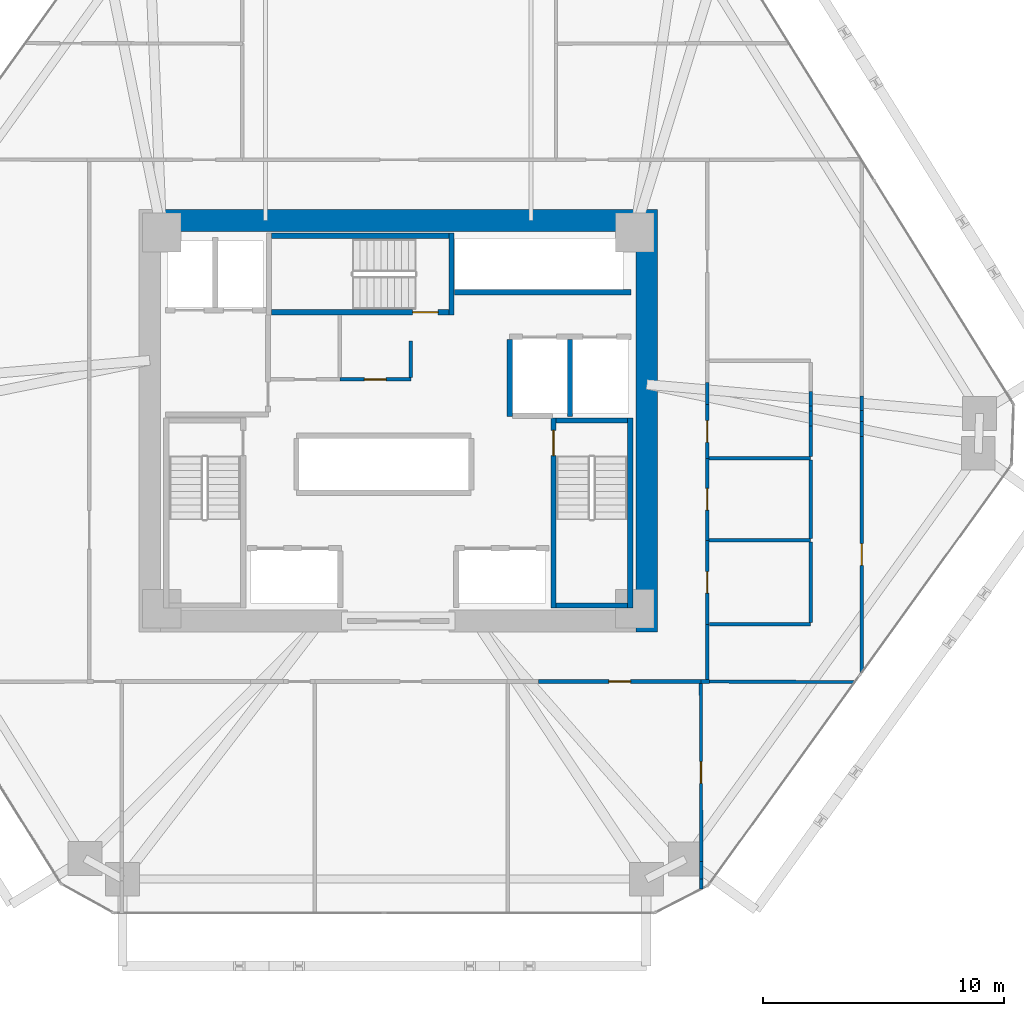
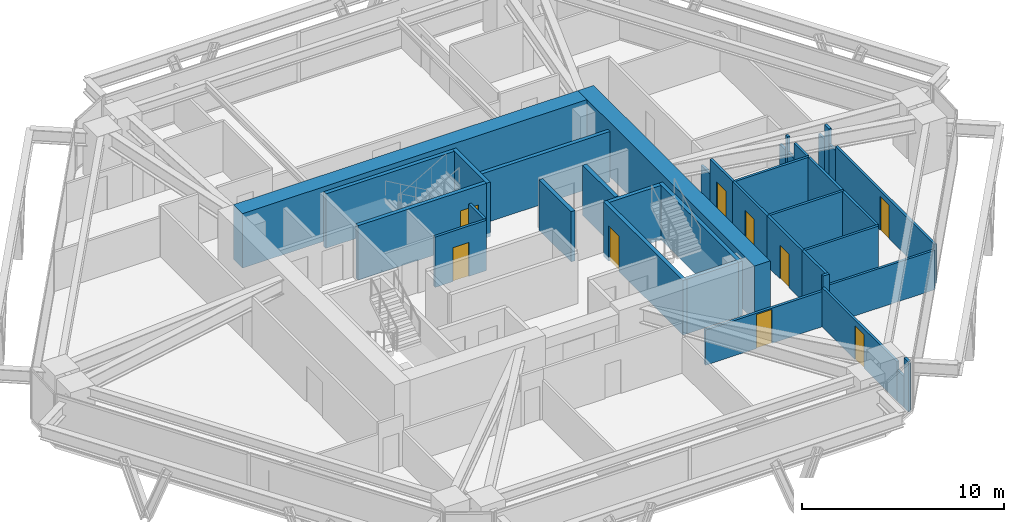
# One storey, part 12 of 15: 38 walls, 9 doors, 9 openings.
"""IFC4 building model written with IfcOpenShell, lengths in metres."""

from ifc_helpers import new_model, si_unit, direction, frame, frame_2d, origin, place, context, subcontext, project, spatial, rectangle, extrude, source, transform, mapped, material, layer, layer_set, type_object, type_shapes, element, fill, save


model = new_model("IFC4")

# Units and contexts
model_context = context("Model", 3, precision=1e-05, world=origin(), true_north=direction((0.0, 1.0)))
body_context = subcontext(model_context, "Body", "Model", "MODEL_VIEW")
ifc_project = project(units=[si_unit("LENGTHUNIT", "METRE"), si_unit("AREAUNIT", "SQUARE_METRE"), si_unit("VOLUMEUNIT", "CUBIC_METRE"), si_unit("PLANEANGLEUNIT", "RADIAN"), si_unit("MASSUNIT", "GRAM", prefix="KILO")], contexts=[model_context])

# Site, building, storey
site_placement = place(None, origin())
site = spatial("IfcSite", under=ifc_project, at=site_placement, CompositionType="ELEMENT")
building_placement = place(site_placement, origin())
building = spatial("IfcBuilding", under=site, at=building_placement, Name="Durnholm Broadcast Tower", CompositionType="ELEMENT")
storey_placement = place(building_placement, frame((0.0, 0.0, 62.10009765625)))
storey = spatial("IfcBuildingStorey", under=building, at=storey_placement, Name="L15", CompositionType="ELEMENT", Elevation=62.10009765625)

# Walls
ifc_material_1 = material(Name="Concrete C70/85", Category="concrete")
ifc_layer_1 = layer(ifc_material_1, 0.89990234375)
ifc_layer_set_1 = layer_set([ifc_layer_1], Name="Concrete C70/85")
wall_type_1 = type_object("IfcWallType", Name="WALL-CW-900", PredefinedType="SHEAR", material=ifc_layer_set_1)
wall_1_placement = place(storey_placement, frame((10.300048828125, -8.75, 0.0), z_axis=(0.0, 0.0, 1.0), x_axis=(0.0, 1.0, 0.0)))
element("IfcWall", 1, at=wall_1_placement, inside=storey, type_object=wall_type_1, Name="L15 central core shear wall CW-EAST", PredefinedType="SHEAR", context=body_context, shape_type="SweptSolid", body=[
    extrude(rectangle(XDim=17.5, YDim=0.89990234375, at=frame_2d((8.75, 0.0))), origin(), (0.0, 0.0, 1.0), 3.2998046875),
])
wall_2_placement = place(storey_placement, frame((-9.85009765625, 8.300048828125, 0.0), z_axis=(0.0, 0.0, 1.0), x_axis=(1.0, 0.0, 0.0)))
element("IfcWall", 2, at=wall_2_placement, inside=storey, type_object=wall_type_1, Name="L15 central core shear wall CW-N", PredefinedType="SHEAR", context=body_context, shape_type="SweptSolid", body=[
    extrude(rectangle(XDim=19.7001953125, YDim=0.89990234375, at=frame_2d((9.85009765625, 0.0))), origin(), (0.0, 0.0, 1.0), 3.2998046875),
])

# Wall, opening, door
ifc_material_2 = material(Name="Gypsum Metal Stud Partition", Category="concrete")
ifc_layer_2 = layer(ifc_material_2, 0.135009765625)
ifc_layer_set_2 = layer_set([ifc_layer_2], Name="Gypsum Metal Stud Partition")
wall_type_2 = type_object("IfcWallType", Name="WALL-PART-135", PredefinedType="PARTITIONING", material=ifc_layer_set_2)
wall_3_placement = place(storey_placement, frame((12.540283203125, -10.888916015625, 0.0), z_axis=(0.0, 0.0, 1.0), x_axis=(0.002115348101, -0.999997762649, 0.0)))
wall_3 = element("IfcWall", 3, at=wall_3_placement, inside=storey, type_object=wall_type_2, Name="L15 room dividing partition 14.15", PredefinedType="PARTITIONING", context=body_context, shape_type="SweptSolid", body=[
    extrude(rectangle(XDim=7.386474609375, YDim=0.135009765625, at=frame_2d((3.693359375, 0.0))), origin(), (0.0, 0.0, 1.0), 2.3798828125),
])
opening_1_placement = place(wall_3_placement, frame((3.2431640625, 0.0, 0.0)))
opening_1 = element("IfcOpeningElement", 4, at=opening_1_placement, cuts=wall_3, Name="Opening DW-90L", PredefinedType="OPENING", context=body_context, shape_type="SweptSolid", body=[
    extrude(rectangle(XDim=0.89990234375, YDim=2.050048828125, at=frame_2d((0.449951171875, 1.02490234375))), frame((0.0, 0.07763671875, 0.0), z_axis=(0.0, -1.0, 0.0), x_axis=(1.0, 0.0, 0.0)), (0.0, 0.0, 1.0), 0.155029296875),
])
ifc_material_3 = material(Name="Laminate Restroom Door", Category="steel")
ifc_layer_3 = layer(ifc_material_3, 0.050048828125)
ifc_layer_set_3 = layer_set([ifc_layer_3], Name="Laminate Restroom Door")
door_type_1 = type_object("IfcDoorType", Name="DOOR-WC-900L", OperationType="NOTDEFINED", PredefinedType="DOOR", material=ifc_layer_set_3)
shared_shape_1 = source(origin(), body_context, "Body", "SweptSolid", [
    extrude(rectangle(XDim=0.89990234375, YDim=2.050048828125, at=frame_2d((0.449951171875, 1.02490234375))), frame((0.0, 0.02490234375, 0.0), z_axis=(0.0, -1.0, 0.0), x_axis=(1.0, 0.0, 0.0)), (0.0, 0.0, 1.0), 0.050048828125),
])
type_shapes(door_type_1, [shared_shape_1])
door_1_placement = place(opening_1_placement, origin())
door_1 = element("IfcDoor", 5, at=door_1_placement, inside=storey, type_object=door_type_1, Name="L15 Investigative Meeting Room connecting door", OperationType="SINGLE_SWING_LEFT", OverallHeight=2.050048828125, OverallWidth=0.89990234375, PredefinedType="DOOR", context=body_context, shape_type="MappedRepresentation", body=[
    mapped(shared_shape_1, transform((0.0, 0.0, 0.0), x_axis=(1.0, 0.0, 0.0), y_axis=(0.0, 1.0, 0.0), z_axis=(0.0, 0.0, 1.0), scale=1.0)),
])
fill(opening_1, door_1)

# Walls
wall_4_placement = place(storey_placement, frame((12.557373046875, -18.99755859375, 0.0), z_axis=(0.0, 0.0, 1.0), x_axis=(0.001783588126, -0.999998409405, 0.0)))
element("IfcWall", 6, at=wall_4_placement, inside=storey, type_object=wall_type_2, Name="L15 room dividing partition 14.15", PredefinedType="PARTITIONING", context=body_context, shape_type="SweptSolid", body=[
    extrude(rectangle(XDim=0.41064453125, YDim=0.135009765625, at=frame_2d((0.205322265625, 0.0))), origin(), (0.0, 0.0, 1.0), 3.044921875),
])
wall_5_placement = place(storey_placement, frame((12.555908203125, -18.275390625, 0.0), z_axis=(0.0, 0.0, 1.0), x_axis=(0.002028393393, -0.999997942808, 0.0)))
element("IfcWall", 7, at=wall_5_placement, inside=storey, type_object=wall_type_2, Name="L15 room dividing partition 14.15", PredefinedType="PARTITIONING", context=body_context, shape_type="SweptSolid", body=[
    extrude(rectangle(XDim=0.72216796875, YDim=0.135009765625, at=frame_2d((0.361083984375, 0.0))), origin(), (0.0, 0.0, 1.0), 1.877197265625),
])
wall_6_placement = place(storey_placement, frame((12.889892578125, -10.810302734375, 0.0), z_axis=(0.0, 0.0, 1.0), x_axis=(0.999992607823, -0.003845035728, 0.0)))
element("IfcWall", 8, at=wall_6_placement, inside=storey, type_object=wall_type_2, Name="L15 room dividing partition 15.17", PredefinedType="PARTITIONING", context=body_context, shape_type="SweptSolid", body=[
    extrude(rectangle(XDim=6.031982421875, YDim=0.135009765625, at=frame_2d((3.01611328125, 0.0))), origin(), (0.0, 0.0, 1.0), 2.3798828125),
])
wall_7_placement = place(storey_placement, frame((19.210205078125, 0.42138671875, 0.0), z_axis=(0.0, 0.0, 1.0), x_axis=(0.0, -1.0, 0.0)))
element("IfcWall", 9, at=wall_7_placement, inside=storey, type_object=wall_type_2, Name="L15 room dividing partition 17.18", PredefinedType="PARTITIONING", context=body_context, shape_type="SweptSolid", body=[
    extrude(rectangle(XDim=0.460205078125, YDim=0.135009765625, at=frame_2d((0.22998046875, 0.0))), origin(), (0.0, 0.0, 1.0), 3.044921875),
])

# Wall, opening, door
wall_8_placement = place(storey_placement, frame((19.210205078125, -0.655517578125, 0.0), z_axis=(0.0, 0.0, 1.0), x_axis=(-7.4898886e-05, -0.999999997195, 0.0)))
wall_8 = element("IfcWall", 10, at=wall_8_placement, inside=storey, type_object=wall_type_2, Name="L15 room dividing partition 17.18", PredefinedType="PARTITIONING", context=body_context, shape_type="SweptSolid", body=[
    extrude(rectangle(XDim=9.77880859375, YDim=0.135009765625, at=frame_2d((4.889404296875, 0.0))), origin(), (0.0, 0.0, 1.0), 2.3798828125),
])
opening_2_placement = place(wall_8_placement, frame((4.439453125, 0.0, 0.0)))
opening_2 = element("IfcOpeningElement", 11, at=opening_2_placement, cuts=wall_8, Name="Opening DW-90L", PredefinedType="OPENING", context=body_context, shape_type="SweptSolid", body=[
    extrude(rectangle(XDim=0.89990234375, YDim=2.050048828125, at=frame_2d((0.449951171875, 1.02490234375))), frame((0.0, 0.07763671875, 0.0), z_axis=(0.0, -1.0, 0.0), x_axis=(1.0, 0.0, 0.0)), (0.0, 0.0, 1.0), 0.155029296875),
])
door_2_placement = place(opening_2_placement, origin())
door_2 = element("IfcDoor", 12, at=door_2_placement, inside=storey, type_object=door_type_1, Name="L15 Broadcast Kitchen connecting door", OperationType="SINGLE_SWING_LEFT", OverallHeight=2.050048828125, OverallWidth=0.89990234375, PredefinedType="DOOR", context=body_context, shape_type="MappedRepresentation", body=[
    mapped(shared_shape_1, transform((0.0, 0.0, 0.0), x_axis=(1.0, 0.0, 0.0), y_axis=(0.0, 1.0, 0.0), z_axis=(0.0, 0.0, 1.0), scale=1.0)),
])
fill(opening_2, door_2)

# Walls
wall_9_placement = place(storey_placement, frame((19.210205078125, 1.027587890625, 0.0), z_axis=(0.0, 0.0, 1.0), x_axis=(0.0, -1.0, 0.0)))
element("IfcWall", 13, at=wall_9_placement, inside=storey, type_object=wall_type_2, Name="L15 room dividing partition 17.18", PredefinedType="PARTITIONING", context=body_context, shape_type="SweptSolid", body=[
    extrude(rectangle(XDim=0.606201171875, YDim=0.135009765625, at=frame_2d((0.30322265625, 0.0))), origin(), (0.0, 0.0, 1.0), 2.130126953125),
])
wall_10_placement = place(storey_placement, frame((19.210205078125, -0.038818359375, 0.0), z_axis=(0.0, 0.0, 1.0), x_axis=(0.0, -1.0, 0.0)))
element("IfcWall", 14, at=wall_10_placement, inside=storey, type_object=wall_type_2, Name="L15 room dividing partition 17.18", PredefinedType="PARTITIONING", context=body_context, shape_type="SweptSolid", body=[
    extrude(rectangle(XDim=0.61669921875, YDim=0.135009765625, at=frame_2d((0.308349609375, 0.0))), origin(), (0.0, 0.0, 1.0), 2.130126953125),
])

# Wall, opening, door
ifc_material_4 = material(Name="Acoustic Gypsum Stud Partition", Category="concrete")
ifc_layer_4 = layer(ifc_material_4, 0.14990234375)
ifc_layer_set_4 = layer_set([ifc_layer_4], Name="Acoustic Gypsum Stud Partition")
wall_type_3 = type_object("IfcWallType", Name="WALL-PART-150", PredefinedType="PARTITIONING", material=ifc_layer_set_4)
wall_11_placement = place(storey_placement, frame((0.52001953125, 1.7099609375, 0.0), z_axis=(0.0, 0.0, 1.0), x_axis=(-1.0, 0.0, 0.0)))
wall_11 = element("IfcWall", 15, at=wall_11_placement, inside=storey, type_object=wall_type_3, Name="L15 Core Mail and Supply Room corridor partition", PredefinedType="PARTITIONING", context=body_context, shape_type="SweptSolid", body=[
    extrude(rectangle(XDim=2.93994140625, YDim=0.14990234375, at=frame_2d((1.469970703125, 0.0))), origin(), (0.0, 0.0, 1.0), 3.044921875),
])
opening_3_placement = place(wall_11_placement, frame((1.02001953125, 0.0, 0.0)))
opening_3 = element("IfcOpeningElement", 16, at=opening_3_placement, cuts=wall_11, Name="Opening DC-60L", PredefinedType="OPENING", context=body_context, shape_type="SweptSolid", body=[
    extrude(rectangle(XDim=0.89990234375, YDim=2.050048828125, at=frame_2d((0.449951171875, 1.02490234375))), frame((0.0, 0.0849609375, 0.0), z_axis=(0.0, -1.0, 0.0), x_axis=(1.0, 0.0, 0.0)), (0.0, 0.0, 1.0), 0.169921875),
])
ifc_material_5 = material(Name="Fire-Rated Core Service Door", Category="steel")
ifc_layer_5 = layer(ifc_material_5, 0.050048828125)
ifc_layer_set_5 = layer_set([ifc_layer_5], Name="Fire-Rated Core Service Door")
door_type_2 = type_object("IfcDoorType", Name="DOOR-CORE-FD60-L", OperationType="NOTDEFINED", PredefinedType="DOOR", material=ifc_layer_set_5)
shared_shape_2 = source(origin(), body_context, "Body", "SweptSolid", [
    extrude(rectangle(XDim=0.89990234375, YDim=2.050048828125, at=frame_2d((0.449951171875, 1.02490234375))), frame((0.0, 0.02490234375, 0.0), z_axis=(0.0, -1.0, 0.0), x_axis=(1.0, 0.0, 0.0)), (0.0, 0.0, 1.0), 0.050048828125),
])
type_shapes(door_type_2, [shared_shape_2])
door_3_placement = place(opening_3_placement, origin())
door_3 = element("IfcDoor", 17, at=door_3_placement, inside=storey, type_object=door_type_2, Name="L15 Core Mail and Supply Room entrance door", OperationType="SINGLE_SWING_LEFT", OverallHeight=2.050048828125, OverallWidth=0.89990234375, PredefinedType="DOOR", context=body_context, shape_type="MappedRepresentation", body=[
    mapped(shared_shape_2, transform((0.0, 0.0, 0.0), x_axis=(1.0, 0.0, 0.0), y_axis=(0.0, 1.0, 0.0), z_axis=(0.0, 0.0, 1.0), scale=1.0)),
])
fill(opening_3, door_3)

# Wall
wall_12_placement = place(storey_placement, frame((0.52001953125, 3.300048828125, 0.0), z_axis=(0.0, 0.0, 1.0), x_axis=(0.0, -1.0, 0.0)))
element("IfcWall", 18, at=wall_12_placement, inside=storey, type_object=wall_type_3, Name="L15 Core Mail and Supply Room corridor partition", PredefinedType="PARTITIONING", context=body_context, shape_type="SweptSolid", body=[
    extrude(rectangle(XDim=1.510986328125, YDim=0.14990234375, at=frame_2d((0.75537109375, 0.0))), origin(), (0.0, 0.0, 1.0), 3.044921875),
])

# Wall, opening, door
wall_13_placement = place(storey_placement, frame((5.8173828125, -10.81005859375, 0.0), z_axis=(0.0, 0.0, 1.0), x_axis=(1.0, 0.0, 0.0)))
wall_13 = element("IfcWall", 19, at=wall_13_placement, inside=storey, type_object=wall_type_3, Name="L15 Open Plan Broadcast Workspace 4 corridor partition", PredefinedType="PARTITIONING", context=body_context, shape_type="SweptSolid", body=[
    extrude(rectangle(XDim=6.72265625, YDim=0.14990234375, at=frame_2d((3.361328125, 0.0))), origin(), (0.0, 0.0, 1.0), 2.130126953125),
])
opening_4_placement = place(wall_13_placement, frame((2.911376953125, 0.0, 0.0)))
opening_4 = element("IfcOpeningElement", 20, at=opening_4_placement, cuts=wall_13, Name="Opening DW-90L", PredefinedType="OPENING", context=body_context, shape_type="SweptSolid", body=[
    extrude(rectangle(XDim=0.89990234375, YDim=2.050048828125, at=frame_2d((0.449951171875, 1.02490234375))), frame((0.0, 0.0849609375, 0.0), z_axis=(0.0, -1.0, 0.0), x_axis=(1.0, 0.0, 0.0)), (0.0, 0.0, 1.0), 0.169921875),
])
door_4_placement = place(opening_4_placement, origin())
door_4 = element("IfcDoor", 21, at=door_4_placement, inside=storey, type_object=door_type_1, Name="L15 Open Plan Broadcast Workspace 4 entrance door", OperationType="SINGLE_SWING_LEFT", OverallHeight=2.050048828125, OverallWidth=0.89990234375, PredefinedType="DOOR", context=body_context, shape_type="MappedRepresentation", body=[
    mapped(shared_shape_1, transform((0.0, 0.0, 0.0), x_axis=(1.0, 0.0, 0.0), y_axis=(0.0, 1.0, 0.0), z_axis=(0.0, 0.0, 1.0), scale=1.0)),
])
fill(opening_4, door_4)

# Walls
wall_14_placement = place(storey_placement, frame((12.5400390625, -10.81005859375, 0.0), z_axis=(0.0, 0.0, 1.0), x_axis=(1.0, 0.0, 0.0)))
element("IfcWall", 22, at=wall_14_placement, inside=storey, type_object=wall_type_3, Name="L15 Investigative Meeting Room corridor partition", PredefinedType="PARTITIONING", context=body_context, shape_type="SweptSolid", body=[
    extrude(rectangle(XDim=0.349853515625, YDim=0.14990234375, at=frame_2d((0.1748046875, 0.0))), origin(), (0.0, 0.0, 1.0), 3.044921875),
])
wall_15_placement = place(storey_placement, frame((12.81005859375, -10.73095703125, 0.0), z_axis=(0.0, 0.0, 1.0), x_axis=(0.0, 1.0, 0.0)))
element("IfcWall", 23, at=wall_15_placement, inside=storey, type_object=wall_type_3, Name="L15 Sound Review Lounge corridor partition", PredefinedType="PARTITIONING", context=body_context, shape_type="SweptSolid", body=[
    extrude(rectangle(XDim=2.291015625, YDim=0.14990234375, at=frame_2d((1.1455078125, 0.0))), origin(), (0.0, 0.0, 1.0), 3.044921875),
])
ifc_material_6 = material(Name="Concrete Blockwork C30/37", Category="masonry")
ifc_layer_6 = layer(ifc_material_6, 0.219970703125)
ifc_layer_set_6 = layer_set([ifc_layer_6], Name="Concrete Blockwork C30/37")
wall_type_4 = type_object("IfcWallType", Name="WALL-SHAFT-220", PredefinedType="SOLIDWALL", material=ifc_layer_set_6)
for number, where, z_axis, x_axis, name in (
    (24, (4.6201171875, 0.179931640625, 0.0), (0.0, 0.0, 1.0), (0.0, 1.0, 0.0), "L15 freight service lift SVL-2 west wall"),
    (25, (7.1201171875, 0.179931640625, 0.0), (0.0, 0.0, 1.0), (0.0, 1.0, 0.0), "L15 freight service lifts divider wall"),
):
    element("IfcWall", number, at=place(storey_placement, frame(where, z_axis=z_axis, x_axis=x_axis)), inside=storey, type_object=wall_type_4, Name=name, PredefinedType="SOLIDWALL", context=body_context, shape_type="SweptSolid", body=[
        extrude(rectangle(XDim=3.18603515625, YDim=0.219970703125, at=frame_2d((1.593017578125, 0.0))), origin(), (0.0, 0.0, 1.0), 3.044921875),
    ])
wall_16_placement = place(storey_placement, frame((2.324951171875, 5.320068359375, 0.0), z_axis=(0.0, 0.0, 1.0), x_axis=(1.0, 0.0, 0.0)))
element("IfcWall", 26, at=wall_16_placement, inside=storey, type_object=wall_type_4, Name="L15 high-rise bank P3 south front wall", PredefinedType="SOLIDWALL", context=body_context, shape_type="SweptSolid", body=[
    extrude(rectangle(XDim=7.324951171875, YDim=0.219970703125, at=frame_2d((3.66259765625, 0.0))), origin(), (0.0, 0.0, 1.0), 3.044921875),
])
ifc_material_7 = material(Name="Concrete C50/60", Category="concrete")
ifc_layer_7 = layer(ifc_material_7, 0.219970703125)
ifc_layer_set_7 = layer_set([ifc_layer_7], Name="Concrete C50/60")
wall_type_5 = type_object("IfcWallType", Name="WALL-SW-220", PredefinedType="SHEAR", material=ifc_layer_set_7)
wall_17_placement = place(storey_placement, frame((9.610107421875, -7.77001953125, -0.239990234375), z_axis=(0.0, 0.0, 1.0), x_axis=(0.0, 1.0, 0.0)))
element("IfcWall", 27, at=wall_17_placement, inside=storey, type_object=wall_type_5, Name="L15 stair ST-2 structural shaft wall E", PredefinedType="SHEAR", context=body_context, shape_type="SweptSolid", body=[
    extrude(rectangle(XDim=7.89013671875, YDim=0.219970703125, at=frame_2d((3.945068359375, 0.0))), origin(), (0.0, 0.0, 1.0), 3.2998046875),
])

# Wall, opening, door
wall_18_placement = place(storey_placement, frame((6.429931640625, 0.1201171875, -0.239990234375), z_axis=(0.0, 0.0, 1.0), x_axis=(0.0, -1.0, 0.0)))
wall_18 = element("IfcWall", 28, at=wall_18_placement, inside=storey, type_object=wall_type_5, Name="L15 stair ST-2 structural shaft wall W", PredefinedType="SHEAR", context=body_context, shape_type="SweptSolid", body=[
    extrude(rectangle(XDim=7.89013671875, YDim=0.219970703125, at=frame_2d((3.945068359375, 0.0))), origin(), (0.0, 0.0, 1.0), 3.2998046875),
])
opening_5_placement = place(wall_18_placement, frame((0.52001953125, 0.0, 0.0)))
opening_5 = element("IfcOpeningElement", 29, at=opening_5_placement, cuts=wall_18, Name="Opening DS-90R", PredefinedType="OPENING", context=body_context, shape_type="SweptSolid", body=[
    extrude(rectangle(XDim=1.050048828125, YDim=2.14990234375, at=frame_2d((0.52490234375, 1.074951171875))), frame((0.0, 0.1201171875, 0.0), z_axis=(0.0, -1.0, 0.0), x_axis=(1.0, 0.0, 0.0)), (0.0, 0.0, 1.0), 0.239990234375),
])
ifc_material_8 = material(Name="Fire-Rated Steel Door", Category="steel")
ifc_layer_8 = layer(ifc_material_8, 0.050048828125)
ifc_layer_set_8 = layer_set([ifc_layer_8], Name="Fire-Rated Steel Door")
door_type_3 = type_object("IfcDoorType", Name="DOOR-ST-FD90-R", OperationType="NOTDEFINED", PredefinedType="DOOR", material=ifc_layer_set_8)
shared_shape_3 = source(origin(), body_context, "Body", "SweptSolid", [
    extrude(rectangle(XDim=1.050048828125, YDim=2.14990234375, at=frame_2d((0.52490234375, 1.074951171875))), frame((0.0, 0.02490234375, 0.0), z_axis=(0.0, -1.0, 0.0), x_axis=(1.0, 0.0, 0.0)), (0.0, 0.0, 1.0), 0.050048828125),
])
type_shapes(door_type_3, [shared_shape_3])
door_5_placement = place(opening_5_placement, origin())
door_5 = element("IfcDoor", 30, at=door_5_placement, inside=storey, type_object=door_type_3, Name="L15 exit stair ST-2 fire door", OperationType="SINGLE_SWING_RIGHT", OverallHeight=2.14990234375, OverallWidth=1.050048828125, PredefinedType="DOOR", context=body_context, shape_type="MappedRepresentation", body=[
    mapped(shared_shape_3, transform((0.0, 0.0, 0.0), x_axis=(1.0, 0.0, 0.0), y_axis=(0.0, 1.0, 0.0), z_axis=(0.0, 0.0, 1.0), scale=1.0)),
])
fill(opening_5, door_5)

# Walls
for number, where, z_axis, x_axis, name in (
    (31, (6.5400390625, -7.659912109375, -0.239990234375), (0.0, 0.0, 1.0), (1.0, 0.0, 0.0), "L15 stair ST-2 structural shaft wall S"),
    (32, (9.5, 0.010009765625, -0.239990234375), (0.0, 0.0, 1.0), (-1.0, 0.0, 0.0), "L15 stair ST-2 structural shaft wall N"),
):
    element("IfcWall", number, at=place(storey_placement, frame(where, z_axis=z_axis, x_axis=x_axis)), inside=storey, type_object=wall_type_5, Name=name, PredefinedType="SHEAR", context=body_context, shape_type="SweptSolid", body=[
        extrude(rectangle(XDim=2.9599609375, YDim=0.219970703125, at=frame_2d((1.47998046875, 0.0))), origin(), (0.0, 0.0, 1.0), 3.2998046875),
    ])
wall_19_placement = place(storey_placement, frame((2.2099609375, 4.3798828125, -0.239990234375), z_axis=(0.0, 0.0, 1.0), x_axis=(0.0, 1.0, 0.0)))
element("IfcWall", 33, at=wall_19_placement, inside=storey, type_object=wall_type_5, Name="L15 stair ST-3 structural shaft wall E", PredefinedType="SHEAR", context=body_context, shape_type="SweptSolid", body=[
    extrude(rectangle(XDim=3.400146484375, YDim=0.219970703125, at=frame_2d((1.7001953125, 0.0))), origin(), (0.0, 0.0, 1.0), 3.2998046875),
])

# Wall, opening, door
wall_20_placement = place(storey_placement, frame((-5.25, 4.489990234375, -0.239990234375), z_axis=(0.0, 0.0, 1.0), x_axis=(1.0, 0.0, 0.0)))
wall_20 = element("IfcWall", 34, at=wall_20_placement, inside=storey, type_object=wall_type_5, Name="L15 stair ST-3 structural shaft wall S", PredefinedType="SHEAR", context=body_context, shape_type="SweptSolid", body=[
    extrude(rectangle(XDim=7.35009765625, YDim=0.219970703125, at=frame_2d((3.675048828125, 0.0))), origin(), (0.0, 0.0, 1.0), 3.2998046875),
])
opening_6_placement = place(wall_20_placement, frame((5.85009765625, 0.0, 0.0)))
opening_6 = element("IfcOpeningElement", 35, at=opening_6_placement, cuts=wall_20, Name="Opening DS-90L", PredefinedType="OPENING", context=body_context, shape_type="SweptSolid", body=[
    extrude(rectangle(XDim=1.050048828125, YDim=2.14990234375, at=frame_2d((0.52490234375, 1.074951171875))), frame((0.0, 0.1201171875, 0.0), z_axis=(0.0, -1.0, 0.0), x_axis=(1.0, 0.0, 0.0)), (0.0, 0.0, 1.0), 0.239990234375),
])
ifc_layer_9 = layer(ifc_material_8, 0.050048828125)
ifc_layer_set_9 = layer_set([ifc_layer_9], Name="Fire-Rated Steel Door")
door_type_4 = type_object("IfcDoorType", Name="DOOR-ST-FD90-L", OperationType="NOTDEFINED", PredefinedType="DOOR", material=ifc_layer_set_9)
shared_shape_4 = source(origin(), body_context, "Body", "SweptSolid", [
    extrude(rectangle(XDim=1.050048828125, YDim=2.14990234375, at=frame_2d((0.52490234375, 1.074951171875))), frame((0.0, 0.02490234375, 0.0), z_axis=(0.0, -1.0, 0.0), x_axis=(1.0, 0.0, 0.0)), (0.0, 0.0, 1.0), 0.050048828125),
])
type_shapes(door_type_4, [shared_shape_4])
door_6_placement = place(opening_6_placement, origin())
door_6 = element("IfcDoor", 36, at=door_6_placement, inside=storey, type_object=door_type_4, Name="L15 exit stair ST-3 fire door", OperationType="SINGLE_SWING_LEFT", OverallHeight=2.14990234375, OverallWidth=1.050048828125, PredefinedType="DOOR", context=body_context, shape_type="MappedRepresentation", body=[
    mapped(shared_shape_4, transform((0.0, 0.0, 0.0), x_axis=(1.0, 0.0, 0.0), y_axis=(0.0, 1.0, 0.0), z_axis=(0.0, 0.0, 1.0), scale=1.0)),
])
fill(opening_6, door_6)

# Wall
wall_21_placement = place(storey_placement, frame((2.10009765625, 7.669921875, -0.239990234375), z_axis=(0.0, 0.0, 1.0), x_axis=(-1.0, 0.0, 0.0)))
element("IfcWall", 37, at=wall_21_placement, inside=storey, type_object=wall_type_5, Name="L15 stair ST-3 structural shaft wall N", PredefinedType="SHEAR", context=body_context, shape_type="SweptSolid", body=[
    extrude(rectangle(XDim=7.35009765625, YDim=0.219970703125, at=frame_2d((3.675048828125, 0.0))), origin(), (0.0, 0.0, 1.0), 3.2998046875),
])

# Wall, opening, door
ifc_material_9 = material(Name="Moisture-Resistant Tile Partition", Category="concrete")
ifc_layer_10 = layer(ifc_material_9, 0.139892578125)
ifc_layer_set_10 = layer_set([ifc_layer_10], Name="Moisture-Resistant Tile Partition")
wall_type_6 = type_object("IfcWallType", Name="WALL-WC-140", PredefinedType="PARTITIONING", material=ifc_layer_set_10)
wall_22_placement = place(storey_placement, frame((12.81005859375, -8.43994140625, 0.0), z_axis=(0.0, 0.0, 1.0), x_axis=(0.0, 1.0, 0.0)))
wall_22 = element("IfcWall", 38, at=wall_22_placement, inside=storey, type_object=wall_type_6, Name="L15 Men's Restroom corridor partition", PredefinedType="PARTITIONING", context=body_context, shape_type="SweptSolid", body=[
    extrude(rectangle(XDim=3.47998046875, YDim=0.139892578125, at=frame_2d((1.739990234375, 0.0))), origin(), (0.0, 0.0, 1.0), 3.044921875),
])
opening_7_placement = place(wall_22_placement, frame((1.2900390625, 0.0, 0.0)))
opening_7 = element("IfcOpeningElement", 39, at=opening_7_placement, cuts=wall_22, Name="Opening DW-90R", PredefinedType="OPENING", context=body_context, shape_type="SweptSolid", body=[
    extrude(rectangle(XDim=0.89990234375, YDim=2.050048828125, at=frame_2d((0.449951171875, 1.02490234375))), frame((0.0, 0.080078125, 0.0), z_axis=(0.0, -1.0, 0.0), x_axis=(1.0, 0.0, 0.0)), (0.0, 0.0, 1.0), 0.159912109375),
])
ifc_layer_11 = layer(ifc_material_3, 0.050048828125)
ifc_layer_set_11 = layer_set([ifc_layer_11], Name="Laminate Restroom Door")
door_type_5 = type_object("IfcDoorType", Name="DOOR-WC-900R", OperationType="NOTDEFINED", PredefinedType="DOOR", material=ifc_layer_set_11)
shared_shape_5 = source(origin(), body_context, "Body", "SweptSolid", [
    extrude(rectangle(XDim=0.89990234375, YDim=2.050048828125, at=frame_2d((0.449951171875, 1.02490234375))), frame((0.0, 0.02490234375, 0.0), z_axis=(0.0, -1.0, 0.0), x_axis=(1.0, 0.0, 0.0)), (0.0, 0.0, 1.0), 0.050048828125),
])
type_shapes(door_type_5, [shared_shape_5])
door_7_placement = place(opening_7_placement, origin())
door_7 = element("IfcDoor", 40, at=door_7_placement, inside=storey, type_object=door_type_5, Name="L15 Men's Restroom entrance door", OperationType="SINGLE_SWING_RIGHT", OverallHeight=2.050048828125, OverallWidth=0.89990234375, PredefinedType="DOOR", context=body_context, shape_type="MappedRepresentation", body=[
    mapped(shared_shape_5, transform((0.0, 0.0, 0.0), x_axis=(1.0, 0.0, 0.0), y_axis=(0.0, 1.0, 0.0), z_axis=(0.0, 0.0, 1.0), scale=1.0)),
])
fill(opening_7, door_7)

wall_23_placement = place(storey_placement, frame((12.81005859375, -4.9599609375, 0.0), z_axis=(0.0, 0.0, 1.0), x_axis=(0.0, 1.0, 0.0)))
wall_23 = element("IfcWall", 41, at=wall_23_placement, inside=storey, type_object=wall_type_6, Name="L15 Women's Restroom corridor partition", PredefinedType="PARTITIONING", context=body_context, shape_type="SweptSolid", body=[
    extrude(rectangle(XDim=3.39990234375, YDim=0.139892578125, at=frame_2d((1.699951171875, 0.0))), origin(), (0.0, 0.0, 1.0), 3.044921875),
])
opening_8_placement = place(wall_23_placement, frame((1.25, 0.0, 0.0)))
opening_8 = element("IfcOpeningElement", 42, at=opening_8_placement, cuts=wall_23, Name="Opening DW-90L", PredefinedType="OPENING", context=body_context, shape_type="SweptSolid", body=[
    extrude(rectangle(XDim=0.89990234375, YDim=2.050048828125, at=frame_2d((0.449951171875, 1.02490234375))), frame((0.0, 0.080078125, 0.0), z_axis=(0.0, -1.0, 0.0), x_axis=(1.0, 0.0, 0.0)), (0.0, 0.0, 1.0), 0.159912109375),
])
door_8_placement = place(opening_8_placement, origin())
door_8 = element("IfcDoor", 43, at=door_8_placement, inside=storey, type_object=door_type_1, Name="L15 Women's Restroom entrance door", OperationType="SINGLE_SWING_LEFT", OverallHeight=2.050048828125, OverallWidth=0.89990234375, PredefinedType="DOOR", context=body_context, shape_type="MappedRepresentation", body=[
    mapped(shared_shape_1, transform((0.0, 0.0, 0.0), x_axis=(1.0, 0.0, 0.0), y_axis=(0.0, 1.0, 0.0), z_axis=(0.0, 0.0, 1.0), scale=1.0)),
])
fill(opening_8, door_8)

wall_24_placement = place(storey_placement, frame((12.81005859375, -1.56005859375, 0.0), z_axis=(0.0, 0.0, 1.0), x_axis=(0.0, 1.0, 0.0)))
wall_24 = element("IfcWall", 44, at=wall_24_placement, inside=storey, type_object=wall_type_6, Name="L15 Accessible Restroom corridor partition", PredefinedType="PARTITIONING", context=body_context, shape_type="SweptSolid", body=[
    extrude(rectangle(XDim=2.231201171875, YDim=0.139892578125, at=frame_2d((1.11572265625, 0.0))), origin(), (0.0, 0.0, 1.0), 3.044921875),
])
opening_9_placement = place(wall_24_placement, frame((0.66552734375, 0.0, 0.0)))
opening_9 = element("IfcOpeningElement", 45, at=opening_9_placement, cuts=wall_24, Name="Opening DW-90R", PredefinedType="OPENING", context=body_context, shape_type="SweptSolid", body=[
    extrude(rectangle(XDim=0.89990234375, YDim=2.050048828125, at=frame_2d((0.449951171875, 1.02490234375))), frame((0.0, 0.080078125, 0.0), z_axis=(0.0, -1.0, 0.0), x_axis=(1.0, 0.0, 0.0)), (0.0, 0.0, 1.0), 0.159912109375),
])
door_9_placement = place(opening_9_placement, origin())
door_9 = element("IfcDoor", 46, at=door_9_placement, inside=storey, type_object=door_type_5, Name="L15 Accessible Restroom entrance door", OperationType="SINGLE_SWING_RIGHT", OverallHeight=2.050048828125, OverallWidth=0.89990234375, PredefinedType="DOOR", context=body_context, shape_type="MappedRepresentation", body=[
    mapped(shared_shape_5, transform((0.0, 0.0, 0.0), x_axis=(1.0, 0.0, 0.0), y_axis=(0.0, 1.0, 0.0), z_axis=(0.0, 0.0, 1.0), scale=1.0)),
])
fill(opening_9, door_9)

# Walls
wall_25_placement = place(storey_placement, frame((12.81005859375, 0.671142578125, 0.0), z_axis=(0.0, 0.0, 1.0), x_axis=(0.0, 1.0, 0.0)))
element("IfcWall", 47, at=wall_25_placement, inside=storey, type_object=wall_type_6, Name="L15 Accessible Restroom corridor partition", PredefinedType="PARTITIONING", context=body_context, shape_type="SweptSolid", body=[
    extrude(rectangle(XDim=0.91357421875, YDim=0.139892578125, at=frame_2d((0.456787109375, 0.0))), origin(), (0.0, 0.0, 1.0), 2.130126953125),
])
wall_26_placement = place(storey_placement, frame((12.884033203125, -4.9599609375, 0.0), z_axis=(0.0, 0.0, 1.0), x_axis=(1.0, 0.0, 0.0)))
element("IfcWall", 48, at=wall_26_placement, inside=storey, type_object=wall_type_6, Name="L15 room dividing partition 3.4", PredefinedType="PARTITIONING", context=body_context, shape_type="SweptSolid", body=[
    extrude(rectangle(XDim=4.2060546875, YDim=0.139892578125, at=frame_2d((2.10302734375, 0.0))), origin(), (0.0, 0.0, 1.0), 3.044921875),
])
wall_27_placement = place(storey_placement, frame((17.090087890625, -8.43994140625, 0.0), z_axis=(0.0, 0.0, 1.0), x_axis=(-1.0, 0.0, 0.0)))
element("IfcWall", 49, at=wall_27_placement, inside=storey, type_object=wall_type_6, Name="L15 room dividing partition 3.17", PredefinedType="PARTITIONING", context=body_context, shape_type="SweptSolid", body=[
    extrude(rectangle(XDim=4.201171875, YDim=0.139892578125, at=frame_2d((2.1005859375, 0.0))), origin(), (0.0, 0.0, 1.0), 3.044921875),
])
wall_28_placement = place(storey_placement, frame((17.090087890625, -5.033935546875, 0.0), z_axis=(0.0, 0.0, 1.0), x_axis=(0.0, -1.0, 0.0)))
element("IfcWall", 50, at=wall_28_placement, inside=storey, type_object=wall_type_6, Name="L15 room dividing partition 3.17", PredefinedType="PARTITIONING", context=body_context, shape_type="SweptSolid", body=[
    extrude(rectangle(XDim=3.33203125, YDim=0.139892578125, at=frame_2d((1.666015625, 0.0))), origin(), (0.0, 0.0, 1.0), 3.044921875),
])
wall_29_placement = place(storey_placement, frame((12.884033203125, -1.56005859375, 0.0), z_axis=(0.0, 0.0, 1.0), x_axis=(1.0, 0.0, 0.0)))
element("IfcWall", 51, at=wall_29_placement, inside=storey, type_object=wall_type_6, Name="L15 room dividing partition 4.5", PredefinedType="PARTITIONING", context=body_context, shape_type="SweptSolid", body=[
    extrude(rectangle(XDim=4.2060546875, YDim=0.139892578125, at=frame_2d((2.10302734375, 0.0))), origin(), (0.0, 0.0, 1.0), 3.044921875),
])
wall_30_placement = place(storey_placement, frame((17.090087890625, -1.634033203125, 0.0), z_axis=(0.0, 0.0, 1.0), x_axis=(0.0, -1.0, 0.0)))
element("IfcWall", 52, at=wall_30_placement, inside=storey, type_object=wall_type_6, Name="L15 room dividing partition 4.17", PredefinedType="PARTITIONING", context=body_context, shape_type="SweptSolid", body=[
    extrude(rectangle(XDim=3.251953125, YDim=0.139892578125, at=frame_2d((1.6259765625, 0.0))), origin(), (0.0, 0.0, 1.0), 3.044921875),
])
wall_31_placement = place(storey_placement, frame((17.090087890625, 0.60595703125, 0.0), z_axis=(0.0, 0.0, 1.0), x_axis=(0.0, -1.0, 0.0)))
element("IfcWall", 53, at=wall_31_placement, inside=storey, type_object=wall_type_6, Name="L15 room dividing partition 5.17", PredefinedType="PARTITIONING", context=body_context, shape_type="SweptSolid", body=[
    extrude(rectangle(XDim=0.205078125, YDim=0.139892578125, at=frame_2d((0.1025390625, 0.0))), origin(), (0.0, 0.0, 1.0), 3.044921875),
])
wall_32_placement = place(storey_placement, frame((17.090087890625, -0.216064453125, 0.0), z_axis=(0.0, 0.0, 1.0), x_axis=(0.0, -1.0, 0.0)))
element("IfcWall", 54, at=wall_32_placement, inside=storey, type_object=wall_type_6, Name="L15 room dividing partition 5.17", PredefinedType="PARTITIONING", context=body_context, shape_type="SweptSolid", body=[
    extrude(rectangle(XDim=1.27001953125, YDim=0.139892578125, at=frame_2d((0.635009765625, 0.0))), origin(), (0.0, 0.0, 1.0), 3.044921875),
])
wall_33_placement = place(storey_placement, frame((17.090087890625, 1.212158203125, 0.0), z_axis=(0.0, 0.0, 1.0), x_axis=(0.0, -1.0, 0.0)))
element("IfcWall", 55, at=wall_33_placement, inside=storey, type_object=wall_type_6, Name="L15 room dividing partition 5.17", PredefinedType="PARTITIONING", context=body_context, shape_type="SweptSolid", body=[
    extrude(rectangle(XDim=0.606201171875, YDim=0.139892578125, at=frame_2d((0.30322265625, 0.0))), origin(), (0.0, 0.0, 1.0), 2.130126953125),
])
wall_34_placement = place(storey_placement, frame((17.090087890625, 0.40087890625, 0.0), z_axis=(0.0, 0.0, 1.0), x_axis=(0.0, -1.0, 0.0)))
element("IfcWall", 56, at=wall_34_placement, inside=storey, type_object=wall_type_6, Name="L15 room dividing partition 5.17", PredefinedType="PARTITIONING", context=body_context, shape_type="SweptSolid", body=[
    extrude(rectangle(XDim=0.616943359375, YDim=0.139892578125, at=frame_2d((0.30859375, 0.0))), origin(), (0.0, 0.0, 1.0), 2.130126953125),
])

save(model, "model.ifc")
